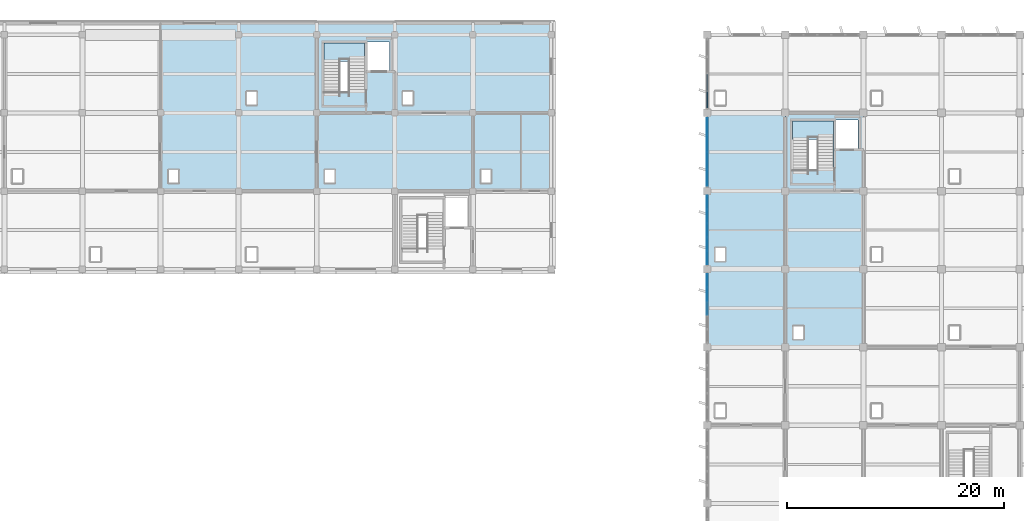
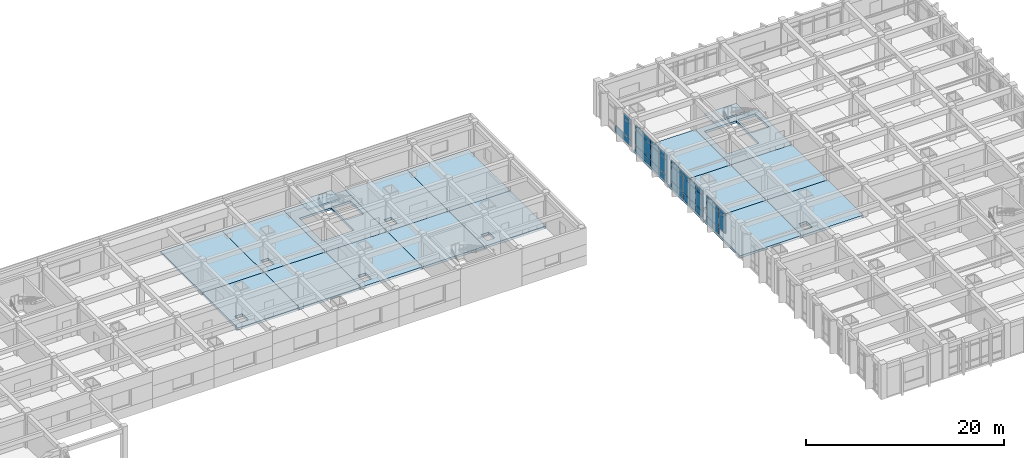
# One storey, part 40 of 70: 39 plates, 18 slabs, 6 elements without a shape of their own.
"""IFC4 building model written with IfcOpenShell, lengths in metres."""

from ifc_helpers import new_model, si_unit, direction, frame, origin, origin_2d, place, context, subcontext, project, spatial, polyline, rectangle, outline, extrude, material, layer, layer_set, type_object, element, aggregate, save


model = new_model("IFC4")

# Units and contexts
model_context = context("Model", 3, precision=1e-05, world=origin(), true_north=direction((0.0, 1.0)))
body_context = subcontext(model_context, "Body", "Model", "MODEL_VIEW")
ifc_project = project(units=[si_unit("LENGTHUNIT", "METRE"), si_unit("AREAUNIT", "SQUARE_METRE"), si_unit("VOLUMEUNIT", "CUBIC_METRE"), si_unit("PLANEANGLEUNIT", "RADIAN"), si_unit("MASSUNIT", "GRAM", prefix="KILO")], contexts=[model_context])

# Site, building, storey
site_placement = place(None, origin())
site = spatial("IfcSite", under=ifc_project, at=site_placement, CompositionType="ELEMENT")
building_placement = place(site_placement, origin())
building = spatial("IfcBuilding", under=site, at=building_placement, Name="Kavelor Marine Aquarium", CompositionType="ELEMENT")
storey_placement = place(building_placement, frame((0.0, 0.0, 9.179931640625)))
storey = spatial("IfcBuildingStorey", under=building, at=storey_placement, Name="L02", CompositionType="ELEMENT", Elevation=9.179931640625)

# Curtain wall, plates
ifc_material_1 = material(Name="Thermally Broken Aluminium and Low-E Glass", Category="aluminium")
ifc_layer_1 = layer(ifc_material_1, 0.2041015625)
ifc_layer_set_1 = layer_set([ifc_layer_1], Name="CW-SYS8")
curtain_wall_type_1 = type_object("IfcCurtainWallType", Name="CW-SYS8", PredefinedType="USERDEFINED", material=ifc_layer_set_1)
curtain_wall_1_placement = place(storey_placement, origin())
curtain_wall_1 = element("IfcCurtainWall", 1, at=curtain_wall_1_placement, inside=storey, type_object=curtain_wall_type_1, Name="cw:y:L02:16_11", ObjectType="Curtain Wall", PredefinedType="USERDEFINED")
ifc_material_2 = material(Name="Laminated Cast Acrylic Viewing Glazing", Category="glass")
ifc_layer_2 = layer(ifc_material_2, 0.087890625)
ifc_layer_set_2 = layer_set([ifc_layer_2], Name="CWP-32")
plate_type_1 = type_object("IfcPlateType", Name="CWP-32", PredefinedType="CURTAIN_PANEL", material=ifc_layer_set_2)
plate_1_placement = place(storey_placement, frame((118.39990234375, 88.147705078125, 0.06494140625), z_axis=(0.0, 0.0, 1.0), x_axis=(0.0, -1.0, 0.0)))
plate_1 = element("IfcPlate", 2, at=plate_1_placement, type_object=plate_type_1, Name="CW08 panel 1.1", PredefinedType="CURTAIN_PANEL", context=body_context, shape_type="SweptSolid", body=[
    extrude(rectangle(XDim=1.1845703125, YDim=0.087890625, at=origin_2d()), origin(), (0.0, 0.0, 1.0), 0.802490234375),
])
plate_2_placement = place(storey_placement, frame((118.39990234375, 88.147705078125, 0.9326171875), z_axis=(0.0, 0.0, 1.0), x_axis=(0.0, -1.0, 0.0)))
plate_2 = element("IfcPlate", 3, at=plate_2_placement, type_object=plate_type_1, Name="CW08 panel 1.2", PredefinedType="CURTAIN_PANEL", context=body_context, shape_type="SweptSolid", body=[
    extrude(rectangle(XDim=1.1845703125, YDim=0.087890625, at=origin_2d()), origin(), (0.0, 0.0, 1.0), 1.864990234375),
])
plate_3_placement = place(storey_placement, frame((118.39990234375, 88.147705078125, 2.86279296875), z_axis=(0.0, 0.0, 1.0), x_axis=(0.0, -1.0, 0.0)))
plate_3 = element("IfcPlate", 4, at=plate_3_placement, type_object=plate_type_1, Name="CW08 panel 1.3", PredefinedType="CURTAIN_PANEL", context=body_context, shape_type="SweptSolid", body=[
    extrude(rectangle(XDim=1.1845703125, YDim=0.087890625, at=origin_2d()), origin(), (0.0, 0.0, 1.0), 0.552490234375),
])
plate_4_placement = place(storey_placement, frame((118.39990234375, 86.882080078125, 0.06494140625), z_axis=(0.0, 0.0, 1.0), x_axis=(0.0, -1.0, 0.0)))
plate_4 = element("IfcPlate", 5, at=plate_4_placement, type_object=plate_type_1, Name="CW08 panel 2.1", PredefinedType="CURTAIN_PANEL", context=body_context, shape_type="SweptSolid", body=[
    extrude(rectangle(XDim=1.217041015625, YDim=0.087890625, at=origin_2d()), origin(), (0.0, 0.0, 1.0), 0.802490234375),
])
plate_5_placement = place(storey_placement, frame((118.39990234375, 86.882080078125, 0.9326171875), z_axis=(0.0, 0.0, 1.0), x_axis=(0.0, -1.0, 0.0)))
plate_5 = element("IfcPlate", 6, at=plate_5_placement, type_object=plate_type_1, Name="CW08 panel 2.2", PredefinedType="CURTAIN_PANEL", context=body_context, shape_type="SweptSolid", body=[
    extrude(rectangle(XDim=1.217041015625, YDim=0.087890625, at=origin_2d()), origin(), (0.0, 0.0, 1.0), 1.864990234375),
])
plate_6_placement = place(storey_placement, frame((118.39990234375, 86.882080078125, 2.86279296875), z_axis=(0.0, 0.0, 1.0), x_axis=(0.0, -1.0, 0.0)))
plate_6 = element("IfcPlate", 7, at=plate_6_placement, type_object=plate_type_1, Name="CW08 panel 2.3", PredefinedType="CURTAIN_PANEL", context=body_context, shape_type="SweptSolid", body=[
    extrude(rectangle(XDim=1.217041015625, YDim=0.087890625, at=origin_2d()), origin(), (0.0, 0.0, 1.0), 0.552490234375),
])
plate_7_placement = place(storey_placement, frame((118.39990234375, 85.60009765625, 0.9326171875), z_axis=(0.0, 0.0, 1.0), x_axis=(0.0, -1.0, 0.0)))
plate_7 = element("IfcPlate", 8, at=plate_7_placement, type_object=plate_type_1, Name="CW08 panel 3.2", PredefinedType="CURTAIN_PANEL", context=body_context, shape_type="SweptSolid", body=[
    extrude(rectangle(XDim=1.217041015625, YDim=0.087890625, at=origin_2d()), origin(), (0.0, 0.0, 1.0), 1.864990234375),
])
plate_8_placement = place(storey_placement, frame((118.39990234375, 85.60009765625, 2.86279296875), z_axis=(0.0, 0.0, 1.0), x_axis=(0.0, -1.0, 0.0)))
plate_8 = element("IfcPlate", 9, at=plate_8_placement, type_object=plate_type_1, Name="CW08 panel 3.3", PredefinedType="CURTAIN_PANEL", context=body_context, shape_type="SweptSolid", body=[
    extrude(rectangle(XDim=1.217041015625, YDim=0.087890625, at=origin_2d()), origin(), (0.0, 0.0, 1.0), 0.552490234375),
])
aggregate(curtain_wall_1, [plate_1, plate_2, plate_3, plate_4, plate_5, plate_6, plate_7, plate_8])

ifc_material_3 = material(Name="Thermally Broken Aluminium and Low-E Glass", Category="aluminium")
ifc_layer_3 = layer(ifc_material_3, 0.2119140625)
ifc_layer_set_3 = layer_set([ifc_layer_3], Name="CW-SYS9")
curtain_wall_type_2 = type_object("IfcCurtainWallType", Name="CW-SYS9", PredefinedType="USERDEFINED", material=ifc_layer_set_3)
curtain_wall_2_placement = place(storey_placement, origin())
curtain_wall_2 = element("IfcCurtainWall", 10, at=curtain_wall_2_placement, inside=storey, type_object=curtain_wall_type_2, Name="cw:y:L02:16_12", ObjectType="Curtain Wall", PredefinedType="USERDEFINED")
ifc_material_4 = material(Name="Laminated Cast Acrylic Viewing Glazing", Category="glass")
ifc_layer_4 = layer(ifc_material_4, 0.090087890625)
ifc_layer_set_4 = layer_set([ifc_layer_4], Name="CWP-33")
plate_type_2 = type_object("IfcPlateType", Name="CWP-33", PredefinedType="CURTAIN_PANEL", material=ifc_layer_set_4)
plate_9_placement = place(storey_placement, frame((118.39990234375, 95.34912109375, 0.06494140625), z_axis=(0.0, 0.0, 1.0), x_axis=(0.0, -1.0, 0.0)))
plate_9 = element("IfcPlate", 11, at=plate_9_placement, type_object=plate_type_2, Name="CW09 panel 1.1", PredefinedType="CURTAIN_PANEL", context=body_context, shape_type="SweptSolid", body=[
    extrude(rectangle(XDim=1.19189453125, YDim=0.090087890625, at=origin_2d()), origin(), (0.0, 0.0, 1.0), 0.802490234375),
])
plate_10_placement = place(storey_placement, frame((118.39990234375, 95.34912109375, 0.9326171875), z_axis=(0.0, 0.0, 1.0), x_axis=(0.0, -1.0, 0.0)))
plate_10 = element("IfcPlate", 12, at=plate_10_placement, type_object=plate_type_2, Name="CW09 panel 1.2", PredefinedType="CURTAIN_PANEL", context=body_context, shape_type="SweptSolid", body=[
    extrude(rectangle(XDim=1.19189453125, YDim=0.090087890625, at=origin_2d()), origin(), (0.0, 0.0, 1.0), 1.844970703125),
])
plate_11_placement = place(storey_placement, frame((118.39990234375, 95.34912109375, 2.8427734375), z_axis=(0.0, 0.0, 1.0), x_axis=(0.0, -1.0, 0.0)))
plate_11 = element("IfcPlate", 13, at=plate_11_placement, type_object=plate_type_2, Name="CW09 panel 1.3", PredefinedType="CURTAIN_PANEL", context=body_context, shape_type="SweptSolid", body=[
    extrude(rectangle(XDim=1.19189453125, YDim=0.090087890625, at=origin_2d()), origin(), (0.0, 0.0, 1.0), 0.552490234375),
])
plate_12_placement = place(storey_placement, frame((118.39990234375, 94.08203125, 0.06494140625), z_axis=(0.0, 0.0, 1.0), x_axis=(0.0, -1.0, 0.0)))
plate_12 = element("IfcPlate", 14, at=plate_12_placement, type_object=plate_type_2, Name="CW09 panel 2.1", PredefinedType="CURTAIN_PANEL", context=body_context, shape_type="SweptSolid", body=[
    extrude(rectangle(XDim=1.221923828125, YDim=0.090087890625, at=origin_2d()), origin(), (0.0, 0.0, 1.0), 0.802490234375),
])
plate_13_placement = place(storey_placement, frame((118.39990234375, 94.08203125, 0.9326171875), z_axis=(0.0, 0.0, 1.0), x_axis=(0.0, -1.0, 0.0)))
plate_13 = element("IfcPlate", 15, at=plate_13_placement, type_object=plate_type_2, Name="CW09 panel 2.2", PredefinedType="CURTAIN_PANEL", context=body_context, shape_type="SweptSolid", body=[
    extrude(rectangle(XDim=1.221923828125, YDim=0.090087890625, at=origin_2d()), origin(), (0.0, 0.0, 1.0), 1.844970703125),
])
plate_14_placement = place(storey_placement, frame((118.39990234375, 94.08203125, 2.8427734375), z_axis=(0.0, 0.0, 1.0), x_axis=(0.0, -1.0, 0.0)))
plate_14 = element("IfcPlate", 16, at=plate_14_placement, type_object=plate_type_2, Name="CW09 panel 2.3", PredefinedType="CURTAIN_PANEL", context=body_context, shape_type="SweptSolid", body=[
    extrude(rectangle(XDim=1.221923828125, YDim=0.090087890625, at=origin_2d()), origin(), (0.0, 0.0, 1.0), 0.552490234375),
])
plate_15_placement = place(storey_placement, frame((118.39990234375, 92.800048828125, 0.06494140625), z_axis=(0.0, 0.0, 1.0), x_axis=(0.0, -1.0, 0.0)))
plate_15 = element("IfcPlate", 17, at=plate_15_placement, type_object=plate_type_2, Name="CW09 panel 3.1", PredefinedType="CURTAIN_PANEL", context=body_context, shape_type="SweptSolid", body=[
    extrude(rectangle(XDim=1.221923828125, YDim=0.090087890625, at=origin_2d()), origin(), (0.0, 0.0, 1.0), 0.802490234375),
])
plate_16_placement = place(storey_placement, frame((118.39990234375, 92.800048828125, 0.9326171875), z_axis=(0.0, 0.0, 1.0), x_axis=(0.0, -1.0, 0.0)))
plate_16 = element("IfcPlate", 18, at=plate_16_placement, type_object=plate_type_2, Name="CW09 panel 3.2", PredefinedType="CURTAIN_PANEL", context=body_context, shape_type="SweptSolid", body=[
    extrude(rectangle(XDim=1.221923828125, YDim=0.090087890625, at=origin_2d()), origin(), (0.0, 0.0, 1.0), 1.844970703125),
])
plate_17_placement = place(storey_placement, frame((118.39990234375, 92.800048828125, 2.8427734375), z_axis=(0.0, 0.0, 1.0), x_axis=(0.0, -1.0, 0.0)))
plate_17 = element("IfcPlate", 19, at=plate_17_placement, type_object=plate_type_2, Name="CW09 panel 3.3", PredefinedType="CURTAIN_PANEL", context=body_context, shape_type="SweptSolid", body=[
    extrude(rectangle(XDim=1.221923828125, YDim=0.090087890625, at=origin_2d()), origin(), (0.0, 0.0, 1.0), 0.552490234375),
])
plate_18_placement = place(storey_placement, frame((118.39990234375, 91.51806640625, 0.06494140625), z_axis=(0.0, 0.0, 1.0), x_axis=(0.0, -1.0, 0.0)))
plate_18 = element("IfcPlate", 20, at=plate_18_placement, type_object=plate_type_2, Name="CW09 panel 4.1", PredefinedType="CURTAIN_PANEL", context=body_context, shape_type="SweptSolid", body=[
    extrude(rectangle(XDim=1.221923828125, YDim=0.090087890625, at=origin_2d()), origin(), (0.0, 0.0, 1.0), 0.802490234375),
])
plate_19_placement = place(storey_placement, frame((118.39990234375, 91.51806640625, 0.9326171875), z_axis=(0.0, 0.0, 1.0), x_axis=(0.0, -1.0, 0.0)))
plate_19 = element("IfcPlate", 21, at=plate_19_placement, type_object=plate_type_2, Name="CW09 panel 4.2", PredefinedType="CURTAIN_PANEL", context=body_context, shape_type="SweptSolid", body=[
    extrude(rectangle(XDim=1.221923828125, YDim=0.090087890625, at=origin_2d()), origin(), (0.0, 0.0, 1.0), 1.844970703125),
])
plate_20_placement = place(storey_placement, frame((118.39990234375, 91.51806640625, 2.8427734375), z_axis=(0.0, 0.0, 1.0), x_axis=(0.0, -1.0, 0.0)))
plate_20 = element("IfcPlate", 22, at=plate_20_placement, type_object=plate_type_2, Name="CW09 panel 4.3", PredefinedType="CURTAIN_PANEL", context=body_context, shape_type="SweptSolid", body=[
    extrude(rectangle(XDim=1.221923828125, YDim=0.090087890625, at=origin_2d()), origin(), (0.0, 0.0, 1.0), 0.552490234375),
])
plate_21_placement = place(storey_placement, frame((118.39990234375, 90.2509765625, 0.06494140625), z_axis=(0.0, 0.0, 1.0), x_axis=(0.0, -1.0, 0.0)))
plate_21 = element("IfcPlate", 23, at=plate_21_placement, type_object=plate_type_2, Name="CW09 panel 5.1", PredefinedType="CURTAIN_PANEL", context=body_context, shape_type="SweptSolid", body=[
    extrude(rectangle(XDim=1.19189453125, YDim=0.090087890625, at=origin_2d()), origin(), (0.0, 0.0, 1.0), 0.802490234375),
])
plate_22_placement = place(storey_placement, frame((118.39990234375, 90.2509765625, 0.9326171875), z_axis=(0.0, 0.0, 1.0), x_axis=(0.0, -1.0, 0.0)))
plate_22 = element("IfcPlate", 24, at=plate_22_placement, type_object=plate_type_2, Name="CW09 panel 5.2", PredefinedType="CURTAIN_PANEL", context=body_context, shape_type="SweptSolid", body=[
    extrude(rectangle(XDim=1.19189453125, YDim=0.090087890625, at=origin_2d()), origin(), (0.0, 0.0, 1.0), 1.844970703125),
])
plate_23_placement = place(storey_placement, frame((118.39990234375, 90.2509765625, 2.8427734375), z_axis=(0.0, 0.0, 1.0), x_axis=(0.0, -1.0, 0.0)))
plate_23 = element("IfcPlate", 25, at=plate_23_placement, type_object=plate_type_2, Name="CW09 panel 5.3", PredefinedType="CURTAIN_PANEL", context=body_context, shape_type="SweptSolid", body=[
    extrude(rectangle(XDim=1.19189453125, YDim=0.090087890625, at=origin_2d()), origin(), (0.0, 0.0, 1.0), 0.552490234375),
])
aggregate(curtain_wall_2, [plate_9, plate_10, plate_11, plate_12, plate_13, plate_14, plate_15, plate_16, plate_17, plate_18, plate_19, plate_20, plate_21, plate_22, plate_23])

ifc_material_5 = material(Name="Thermally Broken Aluminium and Low-E Glass", Category="aluminium")
ifc_layer_5 = layer(ifc_material_5, 0.219970703125)
ifc_layer_set_5 = layer_set([ifc_layer_5], Name="CW-SYS10")
curtain_wall_type_3 = type_object("IfcCurtainWallType", Name="CW-SYS10", PredefinedType="USERDEFINED", material=ifc_layer_set_5)
curtain_wall_3_placement = place(storey_placement, origin())
curtain_wall_3 = element("IfcCurtainWall", 26, at=curtain_wall_3_placement, inside=storey, type_object=curtain_wall_type_3, Name="cw:y:L02:16_13", ObjectType="Curtain Wall", PredefinedType="USERDEFINED")
ifc_material_6 = material(Name="Laminated Cast Acrylic Viewing Glazing", Category="glass")
ifc_layer_6 = layer(ifc_material_6, 0.092041015625)
ifc_layer_set_6 = layer_set([ifc_layer_6], Name="CWP-34")
plate_type_3 = type_object("IfcPlateType", Name="CWP-34", PredefinedType="CURTAIN_PANEL", material=ifc_layer_set_6)
plate_24_placement = place(storey_placement, frame((118.39990234375, 102.385009765625, 0.06005859375), z_axis=(0.0, 0.0, 1.0), x_axis=(0.0, -1.0, 0.0)))
plate_24 = element("IfcPlate", 27, at=plate_24_placement, type_object=plate_type_3, Name="CW10 panel 1.1", PredefinedType="CURTAIN_PANEL", context=body_context, shape_type="SweptSolid", body=[
    extrude(rectangle(XDim=1.489990234375, YDim=0.092041015625, at=origin_2d()), origin(), (0.0, 0.0, 1.0), 0.81005859375),
])
plate_25_placement = place(storey_placement, frame((118.39990234375, 102.385009765625, 0.929931640625), z_axis=(0.0, 0.0, 1.0), x_axis=(0.0, -1.0, 0.0)))
plate_25 = element("IfcPlate", 28, at=plate_25_placement, type_object=plate_type_3, Name="CW10 panel 1.2", PredefinedType="CURTAIN_PANEL", context=body_context, shape_type="SweptSolid", body=[
    extrude(rectangle(XDim=1.489990234375, YDim=0.092041015625, at=origin_2d()), origin(), (0.0, 0.0, 1.0), 1.8701171875),
])
plate_26_placement = place(storey_placement, frame((118.39990234375, 102.385009765625, 2.860107421875), z_axis=(0.0, 0.0, 1.0), x_axis=(0.0, -1.0, 0.0)))
plate_26 = element("IfcPlate", 29, at=plate_26_placement, type_object=plate_type_3, Name="CW10 panel 1.3", PredefinedType="CURTAIN_PANEL", context=body_context, shape_type="SweptSolid", body=[
    extrude(rectangle(XDim=1.489990234375, YDim=0.092041015625, at=origin_2d()), origin(), (0.0, 0.0, 1.0), 0.56005859375),
])
plate_27_placement = place(storey_placement, frame((118.39990234375, 100.80126953125, 0.06005859375), z_axis=(0.0, 0.0, 1.0), x_axis=(0.0, -1.0, 0.0)))
plate_27 = element("IfcPlate", 30, at=plate_27_placement, type_object=plate_type_3, Name="CW10 panel 2.1", PredefinedType="CURTAIN_PANEL", context=body_context, shape_type="SweptSolid", body=[
    extrude(rectangle(XDim=1.527587890625, YDim=0.092041015625, at=origin_2d()), origin(), (0.0, 0.0, 1.0), 0.81005859375),
])
plate_28_placement = place(storey_placement, frame((118.39990234375, 100.80126953125, 0.929931640625), z_axis=(0.0, 0.0, 1.0), x_axis=(0.0, -1.0, 0.0)))
plate_28 = element("IfcPlate", 31, at=plate_28_placement, type_object=plate_type_3, Name="CW10 panel 2.2", PredefinedType="CURTAIN_PANEL", context=body_context, shape_type="SweptSolid", body=[
    extrude(rectangle(XDim=1.527587890625, YDim=0.092041015625, at=origin_2d()), origin(), (0.0, 0.0, 1.0), 1.8701171875),
])
plate_29_placement = place(storey_placement, frame((118.39990234375, 100.80126953125, 2.860107421875), z_axis=(0.0, 0.0, 1.0), x_axis=(0.0, -1.0, 0.0)))
plate_29 = element("IfcPlate", 32, at=plate_29_placement, type_object=plate_type_3, Name="CW10 panel 2.3", PredefinedType="CURTAIN_PANEL", context=body_context, shape_type="SweptSolid", body=[
    extrude(rectangle(XDim=1.527587890625, YDim=0.092041015625, at=origin_2d()), origin(), (0.0, 0.0, 1.0), 0.56005859375),
])
plate_30_placement = place(storey_placement, frame((118.39990234375, 99.19873046875, 0.06005859375), z_axis=(0.0, 0.0, 1.0), x_axis=(0.0, -1.0, 0.0)))
plate_30 = element("IfcPlate", 33, at=plate_30_placement, type_object=plate_type_3, Name="CW10 panel 3.1", PredefinedType="CURTAIN_PANEL", context=body_context, shape_type="SweptSolid", body=[
    extrude(rectangle(XDim=1.527587890625, YDim=0.092041015625, at=origin_2d()), origin(), (0.0, 0.0, 1.0), 0.81005859375),
])
plate_31_placement = place(storey_placement, frame((118.39990234375, 99.19873046875, 0.929931640625), z_axis=(0.0, 0.0, 1.0), x_axis=(0.0, -1.0, 0.0)))
plate_31 = element("IfcPlate", 34, at=plate_31_placement, type_object=plate_type_3, Name="CW10 panel 3.2", PredefinedType="CURTAIN_PANEL", context=body_context, shape_type="SweptSolid", body=[
    extrude(rectangle(XDim=1.527587890625, YDim=0.092041015625, at=origin_2d()), origin(), (0.0, 0.0, 1.0), 1.8701171875),
])
plate_32_placement = place(storey_placement, frame((118.39990234375, 99.19873046875, 2.860107421875), z_axis=(0.0, 0.0, 1.0), x_axis=(0.0, -1.0, 0.0)))
plate_32 = element("IfcPlate", 35, at=plate_32_placement, type_object=plate_type_3, Name="CW10 panel 3.3", PredefinedType="CURTAIN_PANEL", context=body_context, shape_type="SweptSolid", body=[
    extrude(rectangle(XDim=1.527587890625, YDim=0.092041015625, at=origin_2d()), origin(), (0.0, 0.0, 1.0), 0.56005859375),
])
plate_33_placement = place(storey_placement, frame((118.39990234375, 97.614990234375, 0.06005859375), z_axis=(0.0, 0.0, 1.0), x_axis=(0.0, -1.0, 0.0)))
plate_33 = element("IfcPlate", 36, at=plate_33_placement, type_object=plate_type_3, Name="CW10 panel 4.1", PredefinedType="CURTAIN_PANEL", context=body_context, shape_type="SweptSolid", body=[
    extrude(rectangle(XDim=1.489990234375, YDim=0.092041015625, at=origin_2d()), origin(), (0.0, 0.0, 1.0), 0.81005859375),
])
plate_34_placement = place(storey_placement, frame((118.39990234375, 97.614990234375, 0.929931640625), z_axis=(0.0, 0.0, 1.0), x_axis=(0.0, -1.0, 0.0)))
plate_34 = element("IfcPlate", 37, at=plate_34_placement, type_object=plate_type_3, Name="CW10 panel 4.2", PredefinedType="CURTAIN_PANEL", context=body_context, shape_type="SweptSolid", body=[
    extrude(rectangle(XDim=1.489990234375, YDim=0.092041015625, at=origin_2d()), origin(), (0.0, 0.0, 1.0), 1.8701171875),
])
plate_35_placement = place(storey_placement, frame((118.39990234375, 97.614990234375, 2.860107421875), z_axis=(0.0, 0.0, 1.0), x_axis=(0.0, -1.0, 0.0)))
plate_35 = element("IfcPlate", 38, at=plate_35_placement, type_object=plate_type_3, Name="CW10 panel 4.3", PredefinedType="CURTAIN_PANEL", context=body_context, shape_type="SweptSolid", body=[
    extrude(rectangle(XDim=1.489990234375, YDim=0.092041015625, at=origin_2d()), origin(), (0.0, 0.0, 1.0), 0.56005859375),
])
aggregate(curtain_wall_3, [plate_24, plate_25, plate_26, plate_27, plate_28, plate_29, plate_30, plate_31, plate_32, plate_33, plate_34, plate_35])

ifc_material_7 = material(Name="Thermally Broken Aluminium and Low-E Glass", Category="aluminium")
ifc_layer_7 = layer(ifc_material_7, 0.22802734375)
ifc_layer_set_7 = layer_set([ifc_layer_7], Name="CW-SYS11")
curtain_wall_type_4 = type_object("IfcCurtainWallType", Name="CW-SYS11", PredefinedType="USERDEFINED", material=ifc_layer_set_7)
curtain_wall_4_placement = place(storey_placement, origin())
curtain_wall_4 = element("IfcCurtainWall", 39, at=curtain_wall_4_placement, inside=storey, type_object=curtain_wall_type_4, Name="cw:y:L02:16_14", ObjectType="Curtain Wall", PredefinedType="USERDEFINED")
ifc_material_8 = material(Name="Laminated Cast Acrylic Viewing Glazing", Category="glass")
ifc_layer_8 = layer(ifc_material_8, 0.093994140625)
ifc_layer_set_8 = layer_set([ifc_layer_8], Name="CWP-35")
plate_type_4 = type_object("IfcPlateType", Name="CWP-35", PredefinedType="CURTAIN_PANEL", material=ifc_layer_set_8)
plate_36_placement = place(storey_placement, frame((118.39990234375, 106.398681640625, 0.06005859375), z_axis=(0.0, 0.0, 1.0), x_axis=(0.0, -1.0, 0.0)))
plate_36 = element("IfcPlate", 40, at=plate_36_placement, type_object=plate_type_4, Name="CW11 panel 3.1", PredefinedType="CURTAIN_PANEL", context=body_context, shape_type="SweptSolid", body=[
    extrude(rectangle(XDim=1.53759765625, YDim=0.093994140625, at=origin_2d()), origin(), (0.0, 0.0, 1.0), 0.81005859375),
])
plate_37_placement = place(storey_placement, frame((118.39990234375, 104.8125, 0.06005859375), z_axis=(0.0, 0.0, 1.0), x_axis=(0.0, -1.0, 0.0)))
plate_37 = element("IfcPlate", 41, at=plate_37_placement, type_object=plate_type_4, Name="CW11 panel 4.1", PredefinedType="CURTAIN_PANEL", context=body_context, shape_type="SweptSolid", body=[
    extrude(rectangle(XDim=1.5048828125, YDim=0.093994140625, at=origin_2d()), origin(), (0.0, 0.0, 1.0), 0.81005859375),
])
plate_38_placement = place(storey_placement, frame((118.39990234375, 104.8125, 0.929931640625), z_axis=(0.0, 0.0, 1.0), x_axis=(0.0, -1.0, 0.0)))
plate_38 = element("IfcPlate", 42, at=plate_38_placement, type_object=plate_type_4, Name="CW11 panel 4.2", PredefinedType="CURTAIN_PANEL", context=body_context, shape_type="SweptSolid", body=[
    extrude(rectangle(XDim=1.5048828125, YDim=0.093994140625, at=origin_2d()), origin(), (0.0, 0.0, 1.0), 1.85009765625),
])
plate_39_placement = place(storey_placement, frame((118.39990234375, 104.8125, 2.840087890625), z_axis=(0.0, 0.0, 1.0), x_axis=(0.0, -1.0, 0.0)))
plate_39 = element("IfcPlate", 43, at=plate_39_placement, type_object=plate_type_4, Name="CW11 panel 4.3", PredefinedType="CURTAIN_PANEL", context=body_context, shape_type="SweptSolid", body=[
    extrude(rectangle(XDim=1.5048828125, YDim=0.093994140625, at=origin_2d()), origin(), (0.0, 0.0, 1.0), 0.56005859375),
])
aggregate(curtain_wall_4, [plate_36, plate_37, plate_38, plate_39])

# Stair, slab
ifc_material_9 = material(Name="Concrete C40/50", Category="concrete")
stair_type = type_object("IfcStairType", Name="ST-T3", PredefinedType="HALF_TURN_STAIR", material=ifc_material_9)
stair_1_placement = place(storey_placement, origin())
stair_1 = element("IfcStair", 44, at=stair_1_placement, inside=storey, type_object=stair_type, Name="Exit Stair ST06 (L02)", PredefinedType="HALF_TURN_STAIR")
ifc_material_10 = material(Name="Concrete C40/50", Category="concrete")
ifc_layer_9 = layer(ifc_material_10, 0.199951171875)
ifc_layer_set_9 = layer_set([ifc_layer_9], Name="LND-T3")
slab_type_1 = type_object("IfcSlabType", Name="LND-T3", PredefinedType="LANDING", material=ifc_layer_set_9)
slab_1_placement = place(storey_placement, frame((0.0, 0.0, 1.9599609375)))
slab_1 = element("IfcSlab", 45, at=slab_1_placement, type_object=slab_type_1, Name="ST06 landing 1", PredefinedType="LANDING", context=body_context, shape_type="SweptSolid", body=[
    extrude(outline(polyline([(83.06005859375, 108.364013671875), (86.820068359375, 108.364013671875), (86.820068359375, 110.06005859375), (83.06005859375, 110.06005859375), (83.06005859375, 108.364013671875)])), origin(), (0.0, 0.0, 1.0), 0.2001953125),
])
aggregate(stair_1, [slab_1])

stair_2_placement = place(storey_placement, origin())
stair_2 = element("IfcStair", 46, at=stair_2_placement, inside=storey, type_object=stair_type, Name="Exit Stair ST10 (L02)", PredefinedType="HALF_TURN_STAIR")
slab_2_placement = place(storey_placement, frame((0.0, 0.0, 1.9599609375)))
slab_2 = element("IfcSlab", 47, at=slab_2_placement, type_object=slab_type_1, Name="ST10 landing 1", PredefinedType="LANDING", context=body_context, shape_type="SweptSolid", body=[
    extrude(outline(polyline([(126.260009765625, 101.1640625), (130.02001953125, 101.1640625), (130.02001953125, 102.860107421875), (126.260009765625, 102.860107421875), (126.260009765625, 101.1640625)])), origin(), (0.0, 0.0, 1.0), 0.2001953125),
])
aggregate(stair_2, [slab_2])

# Slabs
ifc_material_11 = material(Name="Concrete C40/50", Category="concrete")
ifc_layer_10 = layer(ifc_material_11, 0.300048828125)
ifc_layer_set_10 = layer_set([ifc_layer_10], Name="SL-FL1")
slab_type_2 = type_object("IfcSlabType", Name="SL-FL1", PredefinedType="FLOOR", material=ifc_layer_set_10)
slab_3_placement = place(storey_placement, frame((0.0, 0.0, -0.300048828125)))
element("IfcSlab", 48, at=slab_3_placement, inside=storey, type_object=slab_type_2, Name="slab:L02:09_13", PredefinedType="FLOOR", context=body_context, shape_type="SweptSolid", body=[
    extrude(outline(polyline([(68.0, 96.39990234375), (75.199951171875, 96.39990234375), (75.199951171875, 103.60009765625), (68.0, 103.60009765625), (68.0, 96.39990234375)]), holes=[polyline([(68.75, 97.14990234375), (69.64990234375, 97.14990234375), (69.64990234375, 98.35009765625), (68.75, 98.35009765625), (68.75, 97.14990234375)])]), origin(), (0.0, 0.0, 1.0), 0.300048828125),
])
slab_4_placement = place(storey_placement, frame((0.0, 0.0, -0.300048828125)))
element("IfcSlab", 49, at=slab_4_placement, inside=storey, type_object=slab_type_2, Name="slab:L02:10_14", PredefinedType="FLOOR", context=body_context, shape_type="SweptSolid", body=[
    extrude(outline(polyline([(75.199951171875, 103.60009765625), (82.39990234375, 103.60009765625), (82.39990234375, 112.0400390625), (75.199951171875, 112.0400390625), (75.199951171875, 103.60009765625)]), holes=[polyline([(75.949951171875, 104.35009765625), (76.85009765625, 104.35009765625), (76.85009765625, 105.550048828125), (75.949951171875, 105.550048828125), (75.949951171875, 104.35009765625)])]), origin(), (0.0, 0.0, 1.0), 0.300048828125),
])
slab_5_placement = place(storey_placement, frame((0.0, 0.0, -0.300048828125)))
element("IfcSlab", 50, at=slab_5_placement, inside=storey, type_object=slab_type_2, Name="slab:L02:11_13", PredefinedType="FLOOR", context=body_context, shape_type="SweptSolid", body=[
    extrude(outline(polyline([(82.39990234375, 96.39990234375), (89.60009765625, 96.39990234375), (89.60009765625, 103.60009765625), (82.39990234375, 103.60009765625), (82.39990234375, 96.39990234375)]), holes=[polyline([(83.14990234375, 97.14990234375), (84.050048828125, 97.14990234375), (84.050048828125, 98.35009765625), (83.14990234375, 98.35009765625), (83.14990234375, 97.14990234375)])]), origin(), (0.0, 0.0, 1.0), 0.300048828125),
])
slab_6_placement = place(storey_placement, frame((0.0, 0.0, -0.300048828125)))
element("IfcSlab", 51, at=slab_6_placement, inside=storey, type_object=slab_type_2, Name="slab:L02:12_14", PredefinedType="FLOOR", context=body_context, shape_type="SweptSolid", body=[
    extrude(outline(polyline([(89.60009765625, 103.60009765625), (96.800048828125, 103.60009765625), (96.800048828125, 112.0400390625), (89.60009765625, 112.0400390625), (89.60009765625, 103.60009765625)]), holes=[polyline([(90.35009765625, 104.35009765625), (91.25, 104.35009765625), (91.25, 105.550048828125), (90.35009765625, 105.550048828125), (90.35009765625, 104.35009765625)])]), origin(), (0.0, 0.0, 1.0), 0.300048828125),
])
slab_7_placement = place(storey_placement, frame((0.0, 0.0, -0.300048828125)))
element("IfcSlab", 52, at=slab_7_placement, inside=storey, type_object=slab_type_2, Name="slab:L02:13_13", PredefinedType="FLOOR", context=body_context, shape_type="SweptSolid", body=[
    extrude(outline(polyline([(96.800048828125, 96.39990234375), (104.0, 96.39990234375), (104.0, 103.60009765625), (96.800048828125, 103.60009765625), (96.800048828125, 96.39990234375)]), holes=[polyline([(97.550048828125, 97.14990234375), (98.449951171875, 97.14990234375), (98.449951171875, 98.35009765625), (97.550048828125, 98.35009765625), (97.550048828125, 97.14990234375)])]), origin(), (0.0, 0.0, 1.0), 0.300048828125),
])
slab_8_placement = place(storey_placement, frame((0.0, 0.0, -0.300048828125)))
element("IfcSlab", 53, at=slab_8_placement, inside=storey, type_object=slab_type_2, Name="slab:L02:16_12", PredefinedType="FLOOR", context=body_context, shape_type="SweptSolid", body=[
    extrude(outline(polyline([(118.39990234375, 89.199951171875), (125.60009765625, 89.199951171875), (125.60009765625, 96.39990234375), (118.39990234375, 96.39990234375), (118.39990234375, 89.199951171875)]), holes=[polyline([(119.14990234375, 89.949951171875), (120.050048828125, 89.949951171875), (120.050048828125, 91.14990234375), (119.14990234375, 91.14990234375), (119.14990234375, 89.949951171875)])]), origin(), (0.0, 0.0, 1.0), 0.300048828125),
])
slab_9_placement = place(storey_placement, frame((0.0, 0.0, -0.300048828125)))
element("IfcSlab", 54, at=slab_9_placement, inside=storey, type_object=slab_type_2, Name="slab:L02:17_11", PredefinedType="FLOOR", context=body_context, shape_type="SweptSolid", body=[
    extrude(outline(polyline([(125.60009765625, 82.0), (132.800048828125, 82.0), (132.800048828125, 89.199951171875), (125.60009765625, 89.199951171875), (125.60009765625, 82.0)]), holes=[polyline([(126.35009765625, 82.75), (127.25, 82.75), (127.25, 83.949951171875), (126.35009765625, 83.949951171875), (126.35009765625, 82.75)])]), origin(), (0.0, 0.0, 1.0), 0.300048828125),
])
slab_10_placement = place(storey_placement, frame((0.0, 0.0, -0.300048828125)))
element("IfcSlab", 55, at=slab_10_placement, inside=storey, type_object=slab_type_2, Name="slab:L02:17_13", PredefinedType="FLOOR", context=body_context, shape_type="SweptSolid", body=[
    extrude(outline(polyline([(125.60009765625, 96.39990234375), (132.800048828125, 96.39990234375), (132.800048828125, 103.60009765625), (125.60009765625, 103.60009765625), (125.60009765625, 96.39990234375)]), holes=[polyline([(126.280029296875, 98.282958984375), (130.0, 98.282958984375), (130.0, 102.8701171875), (126.280029296875, 102.8701171875), (126.280029296875, 98.282958984375)]), polyline([(130.260009765625, 100.25), (132.300048828125, 100.25), (132.300048828125, 102.949951171875), (130.199951171875, 102.949951171875), (130.260009765625, 100.25)])]), origin(), (0.0, 0.0, 1.0), 0.300048828125),
])
ifc_material_12 = material(Name="Concrete C40/50", Category="concrete")
ifc_layer_11 = layer(ifc_material_12, 0.280029296875)
ifc_layer_set_11 = layer_set([ifc_layer_11], Name="SL-FL2")
slab_type_3 = type_object("IfcSlabType", Name="SL-FL2", PredefinedType="FLOOR", material=ifc_layer_set_11)
slab_11_placement = place(storey_placement, frame((0.0, 0.0, -0.280029296875)))
element("IfcSlab", 56, at=slab_11_placement, inside=storey, type_object=slab_type_3, Name="slab:L02:09_14", PredefinedType="FLOOR", context=body_context, shape_type="SweptSolid", body=[
    extrude(outline(polyline([(68.0, 103.60009765625), (75.199951171875, 103.60009765625), (75.199951171875, 112.0400390625), (68.0, 112.0400390625), (68.0, 103.60009765625)])), origin(), (0.0, 0.0, 1.0), 0.280029296875),
])
slab_12_placement = place(storey_placement, frame((0.0, 0.0, -0.280029296875)))
element("IfcSlab", 57, at=slab_12_placement, inside=storey, type_object=slab_type_3, Name="slab:L02:10_13", PredefinedType="FLOOR", context=body_context, shape_type="SweptSolid", body=[
    extrude(outline(polyline([(75.199951171875, 96.39990234375), (82.39990234375, 96.39990234375), (82.39990234375, 103.60009765625), (75.199951171875, 103.60009765625), (75.199951171875, 96.39990234375)])), origin(), (0.0, 0.0, 1.0), 0.280029296875),
])
slab_13_placement = place(storey_placement, frame((0.0, 0.0, -0.280029296875)))
element("IfcSlab", 58, at=slab_13_placement, inside=storey, type_object=slab_type_3, Name="slab:L02:11_14", PredefinedType="FLOOR", context=body_context, shape_type="SweptSolid", body=[
    extrude(outline(polyline([(82.39990234375, 103.60009765625), (89.60009765625, 103.60009765625), (89.60009765625, 112.0400390625), (82.39990234375, 112.0400390625), (82.39990234375, 103.60009765625)]), holes=[polyline([(83.080078125, 105.48291015625), (86.800048828125, 105.48291015625), (86.800048828125, 110.070068359375), (83.080078125, 110.070068359375), (83.080078125, 105.48291015625)]), polyline([(87.06005859375, 107.449951171875), (89.10009765625, 107.449951171875), (89.10009765625, 110.14990234375), (87.0, 110.14990234375), (87.06005859375, 107.449951171875)])]), origin(), (0.0, 0.0, 1.0), 0.280029296875),
])
slab_14_placement = place(storey_placement, frame((0.0, 0.0, -0.280029296875)))
element("IfcSlab", 59, at=slab_14_placement, inside=storey, type_object=slab_type_3, Name="slab:L02:12_13", PredefinedType="FLOOR", context=body_context, shape_type="SweptSolid", body=[
    extrude(outline(polyline([(89.60009765625, 96.39990234375), (96.800048828125, 96.39990234375), (96.800048828125, 103.60009765625), (89.60009765625, 103.60009765625), (89.60009765625, 96.39990234375)])), origin(), (0.0, 0.0, 1.0), 0.280029296875),
])
slab_15_placement = place(storey_placement, frame((0.0, 0.0, -0.280029296875)))
element("IfcSlab", 60, at=slab_15_placement, inside=storey, type_object=slab_type_3, Name="slab:L02:13_14", PredefinedType="FLOOR", context=body_context, shape_type="SweptSolid", body=[
    extrude(outline(polyline([(96.800048828125, 103.60009765625), (104.0, 103.60009765625), (104.0, 112.0400390625), (96.800048828125, 112.0400390625), (96.800048828125, 103.60009765625)])), origin(), (0.0, 0.0, 1.0), 0.280029296875),
])
slab_16_placement = place(storey_placement, frame((0.0, 0.0, -0.280029296875)))
element("IfcSlab", 61, at=slab_16_placement, inside=storey, type_object=slab_type_3, Name="slab:L02:16_11", PredefinedType="FLOOR", context=body_context, shape_type="SweptSolid", body=[
    extrude(outline(polyline([(118.39990234375, 82.0), (125.60009765625, 82.0), (125.60009765625, 89.199951171875), (118.39990234375, 89.199951171875), (118.39990234375, 82.0)])), origin(), (0.0, 0.0, 1.0), 0.280029296875),
])
slab_17_placement = place(storey_placement, frame((0.0, 0.0, -0.280029296875)))
element("IfcSlab", 62, at=slab_17_placement, inside=storey, type_object=slab_type_3, Name="slab:L02:16_13", PredefinedType="FLOOR", context=body_context, shape_type="SweptSolid", body=[
    extrude(outline(polyline([(118.39990234375, 96.39990234375), (125.60009765625, 96.39990234375), (125.60009765625, 103.60009765625), (118.39990234375, 103.60009765625), (118.39990234375, 96.39990234375)])), origin(), (0.0, 0.0, 1.0), 0.280029296875),
])
slab_18_placement = place(storey_placement, frame((0.0, 0.0, -0.280029296875)))
element("IfcSlab", 63, at=slab_18_placement, inside=storey, type_object=slab_type_3, Name="slab:L02:17_12", PredefinedType="FLOOR", context=body_context, shape_type="SweptSolid", body=[
    extrude(outline(polyline([(125.60009765625, 89.199951171875), (132.800048828125, 89.199951171875), (132.800048828125, 96.39990234375), (125.60009765625, 96.39990234375), (125.60009765625, 89.199951171875)])), origin(), (0.0, 0.0, 1.0), 0.280029296875),
])

save(model, "model.ifc")
